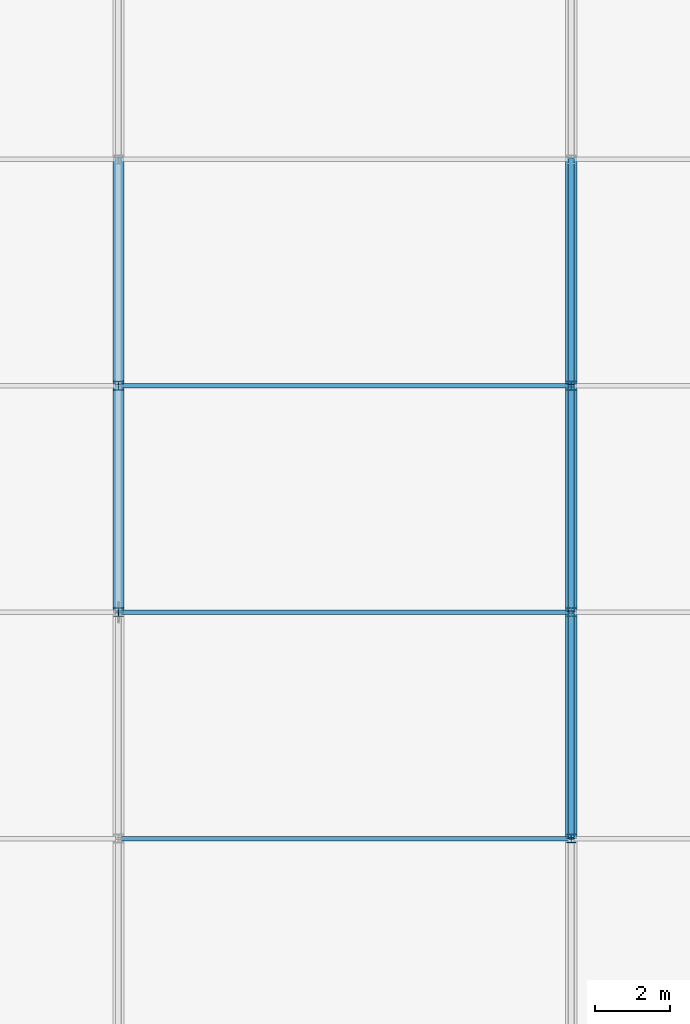
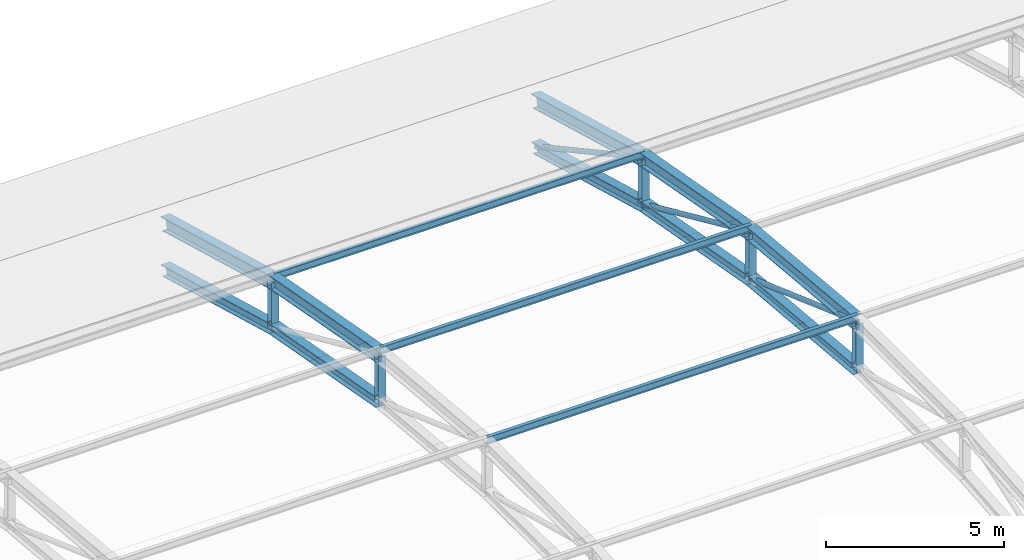
# One storey, part 99 of 204: 21 members.
"""IFC4 building model written with IfcOpenShell, lengths in metres."""

from ifc_helpers import new_model, si_unit, direction, frame, origin, origin_2d, place, context, subcontext, project, spatial, hollow_circle, i_section, extrude, material, material_profile, profile_set, type_object, element, save


model = new_model("IFC4")

# Units and contexts
model_context = context("Model", 3, precision=1e-05, world=origin(), true_north=direction((0.0, 1.0)))
body_context = subcontext(model_context, "Body", "Model", "MODEL_VIEW")
ifc_project = project(units=[si_unit("LENGTHUNIT", "METRE"), si_unit("AREAUNIT", "SQUARE_METRE"), si_unit("VOLUMEUNIT", "CUBIC_METRE"), si_unit("PLANEANGLEUNIT", "RADIAN"), si_unit("MASSUNIT", "GRAM", prefix="KILO")], contexts=[model_context])

# Site, building, storey
site_placement = place(None, origin())
site = spatial("IfcSite", under=ifc_project, at=site_placement, CompositionType="ELEMENT")
building_placement = place(site_placement, origin())
building = spatial("IfcBuilding", under=site, at=building_placement, Name="Zilviju Railside Exhibition Hall", CompositionType="ELEMENT")
storey_placement = place(building_placement, frame((0.0, 0.0, 21.0)))
storey = spatial("IfcBuildingStorey", under=building, at=storey_placement, Name="RF", CompositionType="ELEMENT", Elevation=21.0)

# Members
ifc_material = material(Name="Steel S355J2", Category="steel")
ifc_material_profile_1 = material_profile(ifc_material, hollow_circle(Radius=0.084228515625, WallThickness=0.008056640625, at=origin_2d()), Name="CHS 168.3x8.0")
ifc_profile_set_1 = profile_set([ifc_material_profile_1], Name="Steel S355J2")
member_type_1 = type_object("IfcMemberType", Name="TR-BR-CHS168", PredefinedType="BRACE", material=ifc_profile_set_1)
member_1_placement = place(storey_placement, frame((156.0, 30.0, -0.669189453125), z_axis=(0.0, 0.94123307508, -0.337757751023), x_axis=(-1.0, 0.0, 0.0)))
element("IfcMember", 1, at=member_1_placement, inside=storey, type_object=member_type_1, Name="V1 Parabolic Arch Web Diagonal X=156.0 P6", PredefinedType="BRACE", context=body_context, shape_type="SweptSolid", body=[
    extrude(hollow_circle(Radius=0.084228515625, WallThickness=0.008056640625, at=origin_2d()), origin(), (0.0, 0.0, 1.0), 6.37451171875),
])
member_2_placement = place(storey_placement, frame((156.0, 36.0, -1.22216796875), z_axis=(0.0, 0.911563042822, -0.411160332425), x_axis=(-1.0, 0.0, 0.0)))
element("IfcMember", 2, at=member_2_placement, inside=storey, type_object=member_type_1, Name="V1 Parabolic Arch Web Diagonal X=156.0 P7", PredefinedType="BRACE", context=body_context, shape_type="SweptSolid", body=[
    extrude(hollow_circle(Radius=0.084228515625, WallThickness=0.008056640625, at=origin_2d()), origin(), (0.0, 0.0, 1.0), 6.58203125),
])
member_3_placement = place(storey_placement, frame((156.0, 42.0, -2.328369140625), z_axis=(0.0, 0.87872232578, -0.477333294644), x_axis=(-1.0, 0.0, 0.0)))
element("IfcMember", 3, at=member_3_placement, inside=storey, type_object=member_type_1, Name="V1 Parabolic Arch Web Diagonal X=156.0 P8", PredefinedType="BRACE", context=body_context, shape_type="SweptSolid", body=[
    extrude(hollow_circle(Radius=0.084228515625, WallThickness=0.008056640625, at=origin_2d()), origin(), (0.0, 0.0, 1.0), 6.828125),
])
ifc_material_profile_2 = material_profile(ifc_material, i_section(OverallWidth=0.300048828125, OverallDepth=0.360107421875, WebThickness=0.012451171875, FlangeThickness=0.0224609375, at=origin_2d()), Name="HEB 360")
ifc_profile_set_2 = profile_set([ifc_material_profile_2], Name="Steel S355J2")
member_type_2 = type_object("IfcMemberType", Name="TR-CH-HEB360", PredefinedType="CHORD", material=ifc_profile_set_2)
member_4_placement = place(storey_placement, frame((144.0, 36.0, -2.822265625), z_axis=(0.0, 0.98342578549, -0.18131112606), x_axis=(-1.0, 0.0, 0.0)))
element("IfcMember", 4, at=member_4_placement, inside=storey, type_object=member_type_2, Name="V1 Parabolic Arch Bottom Chord X=144.0 P7", PredefinedType="CHORD", context=body_context, shape_type="SweptSolid", body=[
    extrude(i_section(OverallWidth=0.300048828125, OverallDepth=0.360107421875, WebThickness=0.012451171875, FlangeThickness=0.0224609375, at=origin_2d()), origin(), (0.0, 0.0, 1.0), 6.10107421875),
])
member_5_placement = place(storey_placement, frame((144.0, 42.0, -3.928466796875), z_axis=(0.0, 0.963827412659, -0.266527144223), x_axis=(-1.0, 0.0, 0.0)))
element("IfcMember", 5, at=member_5_placement, inside=storey, type_object=member_type_2, Name="V1 Parabolic Arch Bottom Chord X=144.0 P8", PredefinedType="CHORD", context=body_context, shape_type="SweptSolid", body=[
    extrude(i_section(OverallWidth=0.300048828125, OverallDepth=0.360107421875, WebThickness=0.012451171875, FlangeThickness=0.0224609375, at=origin_2d()), origin(), (0.0, 0.0, 1.0), 6.22509765625),
])
member_6_placement = place(storey_placement, frame((156.0, 30.0, -2.26904296875), z_axis=(0.0, 0.995776144786, -0.091814320641), x_axis=(-1.0, 0.0, 0.0)))
element("IfcMember", 6, at=member_6_placement, inside=storey, type_object=member_type_2, Name="V1 Parabolic Arch Bottom Chord X=156.0 P6", PredefinedType="CHORD", context=body_context, shape_type="SweptSolid", body=[
    extrude(i_section(OverallWidth=0.300048828125, OverallDepth=0.360107421875, WebThickness=0.012451171875, FlangeThickness=0.0224609375, at=origin_2d()), origin(), (0.0, 0.0, 1.0), 6.025390625),
])
member_7_placement = place(storey_placement, frame((156.0, 36.0, -2.822265625), z_axis=(0.0, 0.98342578549, -0.18131112606), x_axis=(-1.0, 0.0, 0.0)))
element("IfcMember", 7, at=member_7_placement, inside=storey, type_object=member_type_2, Name="V1 Parabolic Arch Bottom Chord X=156.0 P7", PredefinedType="CHORD", context=body_context, shape_type="SweptSolid", body=[
    extrude(i_section(OverallWidth=0.300048828125, OverallDepth=0.360107421875, WebThickness=0.012451171875, FlangeThickness=0.0224609375, at=origin_2d()), origin(), (0.0, 0.0, 1.0), 6.10107421875),
])
member_8_placement = place(storey_placement, frame((156.0, 42.0, -3.928466796875), z_axis=(0.0, 0.963827412659, -0.266527144223), x_axis=(-1.0, 0.0, 0.0)))
element("IfcMember", 8, at=member_8_placement, inside=storey, type_object=member_type_2, Name="V1 Parabolic Arch Bottom Chord X=156.0 P8", PredefinedType="CHORD", context=body_context, shape_type="SweptSolid", body=[
    extrude(i_section(OverallWidth=0.300048828125, OverallDepth=0.360107421875, WebThickness=0.012451171875, FlangeThickness=0.0224609375, at=origin_2d()), origin(), (0.0, 0.0, 1.0), 6.22509765625),
])
ifc_material_profile_3 = material_profile(ifc_material, i_section(OverallWidth=0.300048828125, OverallDepth=0.449951171875, WebThickness=0.013916015625, FlangeThickness=0.02587890625, at=origin_2d()), Name="HEB 450")
ifc_profile_set_3 = profile_set([ifc_material_profile_3], Name="Steel S355J2")
member_type_3 = type_object("IfcMemberType", Name="TR-CH-HEB450", PredefinedType="CHORD", material=ifc_profile_set_3)
member_9_placement = place(storey_placement, frame((144.0, 36.0, -1.22216796875), z_axis=(0.0, 0.98342578549, -0.18131112606), x_axis=(-1.0, 0.0, 0.0)))
element("IfcMember", 9, at=member_9_placement, inside=storey, type_object=member_type_3, Name="V1 Parabolic Arch Top Chord X=144.0 P7", PredefinedType="CHORD", context=body_context, shape_type="SweptSolid", body=[
    extrude(i_section(OverallWidth=0.300048828125, OverallDepth=0.449951171875, WebThickness=0.013916015625, FlangeThickness=0.02587890625, at=origin_2d()), origin(), (0.0, 0.0, 1.0), 6.10107421875),
])
member_10_placement = place(storey_placement, frame((144.0, 42.0, -2.328369140625), z_axis=(0.0, 0.963827412659, -0.266527144223), x_axis=(-1.0, 0.0, 0.0)))
element("IfcMember", 10, at=member_10_placement, inside=storey, type_object=member_type_3, Name="V1 Parabolic Arch Top Chord X=144.0 P8", PredefinedType="CHORD", context=body_context, shape_type="SweptSolid", body=[
    extrude(i_section(OverallWidth=0.300048828125, OverallDepth=0.449951171875, WebThickness=0.013916015625, FlangeThickness=0.02587890625, at=origin_2d()), origin(), (0.0, 0.0, 1.0), 6.22509765625),
])
member_11_placement = place(storey_placement, frame((156.0, 30.0, -0.669189453125), z_axis=(0.0, 0.99577984843, -0.091774143746), x_axis=(-1.0, 0.0, 0.0)))
element("IfcMember", 11, at=member_11_placement, inside=storey, type_object=member_type_3, Name="V1 Parabolic Arch Top Chord X=156.0 P6", PredefinedType="CHORD", context=body_context, shape_type="SweptSolid", body=[
    extrude(i_section(OverallWidth=0.300048828125, OverallDepth=0.449951171875, WebThickness=0.013916015625, FlangeThickness=0.02587890625, at=origin_2d()), origin(), (0.0, 0.0, 1.0), 6.025390625),
])
member_12_placement = place(storey_placement, frame((156.0, 36.0, -1.22216796875), z_axis=(0.0, 0.98342578549, -0.18131112606), x_axis=(-1.0, 0.0, 0.0)))
element("IfcMember", 12, at=member_12_placement, inside=storey, type_object=member_type_3, Name="V1 Parabolic Arch Top Chord X=156.0 P7", PredefinedType="CHORD", context=body_context, shape_type="SweptSolid", body=[
    extrude(i_section(OverallWidth=0.300048828125, OverallDepth=0.449951171875, WebThickness=0.013916015625, FlangeThickness=0.02587890625, at=origin_2d()), origin(), (0.0, 0.0, 1.0), 6.10107421875),
])
member_13_placement = place(storey_placement, frame((156.0, 42.0, -2.328369140625), z_axis=(0.0, 0.963827412659, -0.266527144223), x_axis=(-1.0, 0.0, 0.0)))
element("IfcMember", 13, at=member_13_placement, inside=storey, type_object=member_type_3, Name="V1 Parabolic Arch Top Chord X=156.0 P8", PredefinedType="CHORD", context=body_context, shape_type="SweptSolid", body=[
    extrude(i_section(OverallWidth=0.300048828125, OverallDepth=0.449951171875, WebThickness=0.013916015625, FlangeThickness=0.02587890625, at=origin_2d()), origin(), (0.0, 0.0, 1.0), 6.22509765625),
])
ifc_material_profile_4 = material_profile(ifc_material, i_section(OverallWidth=0.239990234375, OverallDepth=0.22998046875, WebThickness=0.007568359375, FlangeThickness=0.011962890625, at=origin_2d()), Name="HEA 240")
ifc_profile_set_4 = profile_set([ifc_material_profile_4], Name="Steel S355J2")
member_type_4 = type_object("IfcMemberType", Name="TR-POST-HEA240", PredefinedType="POST", material=ifc_profile_set_4)
for number, where, z_axis, x_axis, name in (
    (14, (144.0, 36.0, -2.822265625), (0.0, 0.0, 1.0), (1.0, 0.0, 0.0), "V1 Parabolic Arch Web Post X=144.0 N6"),
    (15, (144.0, 42.0, -3.928466796875), (0.0, 0.0, 1.0), (1.0, 0.0, 0.0), "V1 Parabolic Arch Web Post X=144.0 N7"),
):
    element("IfcMember", number, at=place(storey_placement, frame(where, z_axis=z_axis, x_axis=x_axis)), inside=storey, type_object=member_type_4, Name=name, PredefinedType="POST", context=body_context, shape_type="SweptSolid", body=[
        extrude(i_section(OverallWidth=0.239990234375, OverallDepth=0.22998046875, WebThickness=0.007568359375, FlangeThickness=0.011962890625, at=origin_2d()), origin(), (0.0, 0.0, 1.0), 1.60009765625),
    ])
member_14_placement = place(storey_placement, frame((156.0, 30.0, -2.26904296875), z_axis=(0.0, 0.0, 1.0), x_axis=(1.0, 0.0, 0.0)))
element("IfcMember", 16, at=member_14_placement, inside=storey, type_object=member_type_4, Name="V1 Parabolic Arch Web Post X=156.0 N5", PredefinedType="POST", context=body_context, shape_type="SweptSolid", body=[
    extrude(i_section(OverallWidth=0.239990234375, OverallDepth=0.22998046875, WebThickness=0.007568359375, FlangeThickness=0.011962890625, at=origin_2d()), origin(), (0.0, 0.0, 1.0), 1.599853515625),
])
for number, where, z_axis, x_axis, name in (
    (17, (156.0, 36.0, -2.822265625), (0.0, 0.0, 1.0), (1.0, 0.0, 0.0), "V1 Parabolic Arch Web Post X=156.0 N6"),
    (18, (156.0, 42.0, -3.928466796875), (0.0, 0.0, 1.0), (1.0, 0.0, 0.0), "V1 Parabolic Arch Web Post X=156.0 N7"),
):
    element("IfcMember", number, at=place(storey_placement, frame(where, z_axis=z_axis, x_axis=x_axis)), inside=storey, type_object=member_type_4, Name=name, PredefinedType="POST", context=body_context, shape_type="SweptSolid", body=[
        extrude(i_section(OverallWidth=0.239990234375, OverallDepth=0.22998046875, WebThickness=0.007568359375, FlangeThickness=0.011962890625, at=origin_2d()), origin(), (0.0, 0.0, 1.0), 1.60009765625),
    ])
ifc_material_profile_5 = material_profile(ifc_material, i_section(OverallWidth=0.1201171875, OverallDepth=0.239990234375, WebThickness=0.006103515625, FlangeThickness=0.009765625, at=origin_2d()), Name="IPE 240")
ifc_profile_set_5 = profile_set([ifc_material_profile_5], Name="Steel S355J2")
member_type_5 = type_object("IfcMemberType", Name="TR-PUR-IPE240", PredefinedType="PURLIN", material=ifc_profile_set_5)
for number, where, z_axis, x_axis, name in (
    (19, (144.0, 30.0, -0.515625), (1.0, 0.0, 0.0), (0.0, 1.0, 0.0), "V1 Barrel Vault Roof Purlin Y=30.0 (144.0..156.0)"),
    (20, (144.0, 36.0, -1.0771484375), (1.0, 0.0, 0.0), (0.0, 1.0, 0.0), "V1 Barrel Vault Roof Purlin Y=36.0 (144.0..156.0)"),
    (21, (144.0, 42.0, -2.193603515625), (1.0, 0.0, 0.0), (0.0, 1.0, 0.0), "V1 Barrel Vault Roof Purlin Y=42.0 (144.0..156.0)"),
):
    element("IfcMember", number, at=place(storey_placement, frame(where, z_axis=z_axis, x_axis=x_axis)), inside=storey, type_object=member_type_5, Name=name, PredefinedType="PURLIN", context=body_context, shape_type="SweptSolid", body=[
        extrude(i_section(OverallWidth=0.1201171875, OverallDepth=0.239990234375, WebThickness=0.006103515625, FlangeThickness=0.009765625, at=origin_2d()), origin(), (0.0, 0.0, 1.0), 12.0),
    ])

save(model, "model.ifc")
